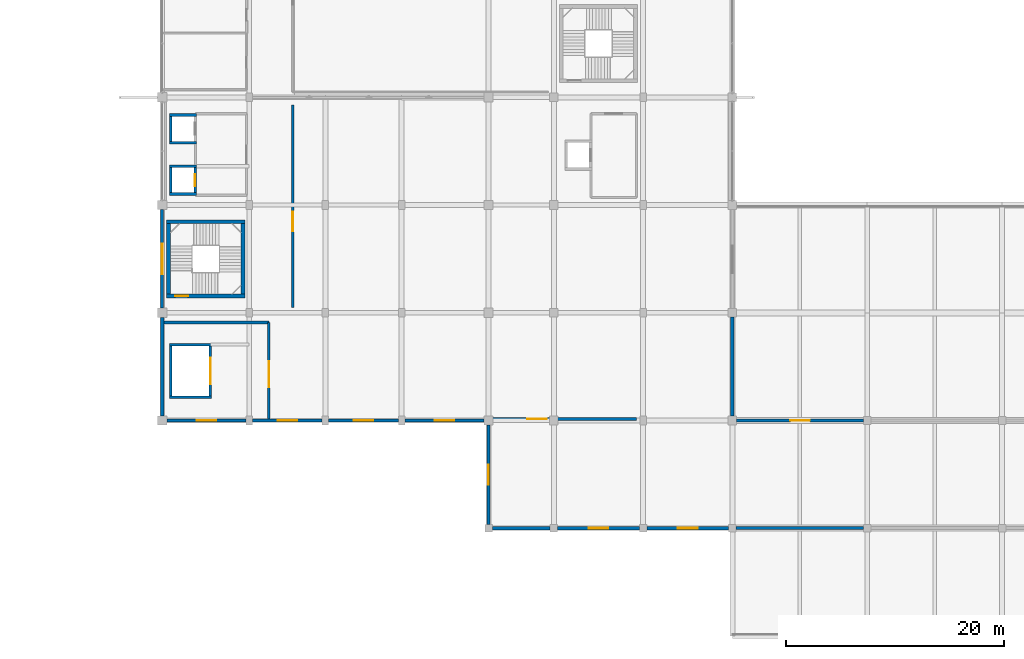
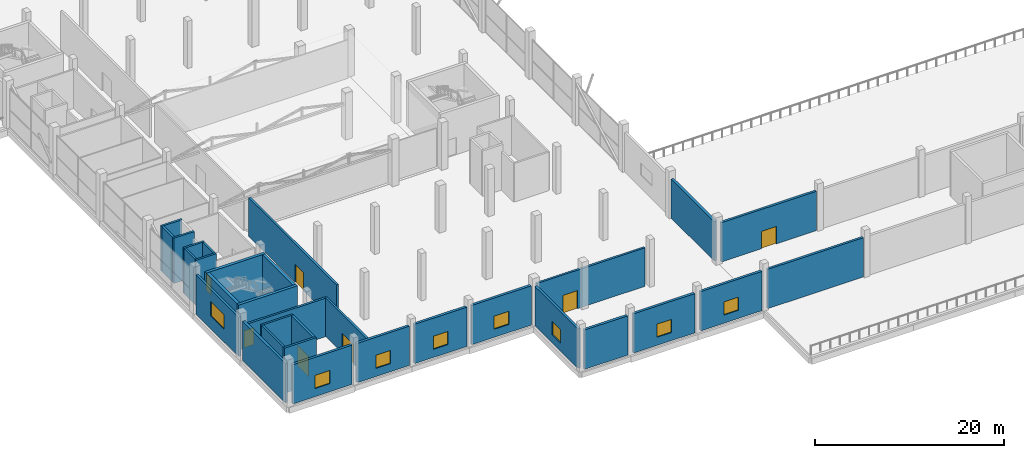
# One storey, part 26 of 46: 32 walls, 8 windows, 7 doors, 15 openings.
"""IFC4 building model written with IfcOpenShell, lengths in metres."""

import ifcopenshell
import ifcopenshell.guid

model = None  # the IFC model being written
_history = None  # IfcOwnerHistory: only IFC2X3 demands one
_inside = {}  # id of a spatial element -> (the spatial element, [elements in it])
_under = {}  # id of a project, library or spatial element -> (it, [spatial elements below it])
_declared = {}  # id of a project -> (the project, [libraries it declares])
_typed = {}  # id of a type object -> (the type object, [elements of that type])
_made_of = {}  # id of a material, layer set ... -> (it, [elements and type objects made of it])


def new_model(schema):
    """Start an empty IFC model of exactly this schema.

    Asked for "IFC4X3", IfcOpenShell would pick the latest addendum, in which some entities
    have other attributes; the version numbers below select the first issue.
    IFC2X3 requires an IfcOwnerHistory on every rooted entity: one is made here for all.
    """
    global model, _history
    if schema == "IFC4X3":
        model = ifcopenshell.file(schema_version=(4, 3, 0, 0))
    else:
        model = ifcopenshell.file(schema=schema)
    _inside.clear()
    _under.clear()
    _declared.clear()
    _typed.clear()
    _made_of.clear()
    _history = None
    if model.schema == "IFC2X3":
        org = make("IfcOrganization", Name="unknown")
        user = make(
            "IfcPersonAndOrganization",
            ThePerson=make("IfcPerson", FamilyName="unknown"),
            TheOrganization=org,
        )
        app = make(
            "IfcApplication",
            ApplicationDeveloper=org,
            Version="unknown",
            ApplicationFullName="unknown",
            ApplicationIdentifier="unknown",
        )
        _history = make(
            "IfcOwnerHistory",
            OwningUser=user,
            OwningApplication=app,
            ChangeAction="ADDED",
            CreationDate=0,
        )
    return model


def make(cls, **values):
    """One entity of the class cls with the attributes given. An attribute that is None is left unset."""
    return model.create_entity(
        cls, **{name: value for name, value in values.items() if value is not None}
    )


def rooted(cls, **values):
    """An entity with a GlobalId (a new one), such as an element, a storey or a relation."""
    return make(cls, GlobalId=ifcopenshell.guid.new(), OwnerHistory=_history, **values)


def si_unit(unit_type, name, prefix=None):
    """IfcSIUnit, for example si_unit("LENGTHUNIT", "METRE", prefix="MILLI")."""
    return make("IfcSIUnit", UnitType=unit_type, Prefix=prefix, Name=name)


def assignment(units):
    """IfcUnitAssignment: the units of a project."""
    return None if units is None else make("IfcUnitAssignment", Units=units)


def point(xyz):
    """IfcCartesianPoint."""
    return None if xyz is None else make("IfcCartesianPoint", Coordinates=xyz)


def direction(xyz):
    """IfcDirection."""
    return None if xyz is None else make("IfcDirection", DirectionRatios=xyz)


def frame(location, z_axis=None, x_axis=None):
    """IfcAxis2Placement3D, a coordinate frame: its origin and axes. An axis left out is left unset."""
    return make(
        "IfcAxis2Placement3D",
        Location=point(location),
        Axis=direction(z_axis),
        RefDirection=direction(x_axis),
    )


def frame_2d(location, x_axis=None):
    """IfcAxis2Placement2D, a coordinate frame in the plane: its origin and x axis."""
    return make(
        "IfcAxis2Placement2D", Location=point(location), RefDirection=direction(x_axis)
    )


def origin():
    """The frame at (0, 0, 0) with its axes left unset."""
    return frame((0.0, 0.0, 0.0))


def place(relative_to, where):
    """IfcLocalPlacement: puts the frame where relative to a parent placement (None: the world)."""
    return make(
        "IfcLocalPlacement", PlacementRelTo=relative_to, RelativePlacement=where
    )


def context(
    kind, dimensions, precision=None, world=None, true_north=None, identifier=None
):
    """IfcGeometricRepresentationContext, for example the 3D "Model" context."""
    return make(
        "IfcGeometricRepresentationContext",
        ContextIdentifier=identifier,
        ContextType=kind,
        CoordinateSpaceDimension=dimensions,
        Precision=precision,
        WorldCoordinateSystem=world,
        TrueNorth=true_north,
    )


def subcontext(parent, identifier, kind, view, scale=None):
    """IfcGeometricRepresentationSubContext, for example "Body" below "Model"."""
    return make(
        "IfcGeometricRepresentationSubContext",
        ContextIdentifier=identifier,
        ContextType=kind,
        ParentContext=parent,
        TargetScale=scale,
        TargetView=view,
    )


def project(units=None, contexts=None):
    """IfcProject with its units and contexts."""
    return rooted(
        "IfcProject",
        Name="project",
        RepresentationContexts=contexts,
        UnitsInContext=assignment(units),
    )


def spatial(cls, under=None, at=None, **own):
    """A site, building, storey or space (cls), placed at a placement, below another one or the project."""
    s = rooted(cls, ObjectPlacement=at, **own)
    if under is not None:
        _under.setdefault(under.id(), (under, []))[1].append(s)
    return s


def profile(cls, at=None, kind="AREA", **sizes):
    """A parametric profile (cls). Its sizes go by their IFC names, for example OverallWidth=200.0."""
    return make(cls, ProfileType=kind, Position=at, **sizes)


def rectangle(**sizes):
    """IfcRectangleProfileDef."""
    return profile("IfcRectangleProfileDef", **sizes)


def extrude(swept, where, along, depth):
    """IfcExtrudedAreaSolid: the profile swept, set in the frame where, extruded along a direction by depth."""
    return make(
        "IfcExtrudedAreaSolid",
        SweptArea=swept,
        Position=where,
        ExtrudedDirection=direction(along),
        Depth=depth,
    )


def shape(context_of_items, identifier, shape_type, items):
    """IfcShapeRepresentation: the items that make up one representation, for example the "Body"."""
    return make(
        "IfcShapeRepresentation",
        ContextOfItems=context_of_items,
        RepresentationIdentifier=identifier,
        RepresentationType=shape_type,
        Items=items,
    )


def material(Name=None, Category=None):
    """IfcMaterial."""
    return make("IfcMaterial", Name=Name, Category=Category)


def layer(
    of_material, thickness, ventilated=None, Name=None, Category=None, Priority=None
):
    """IfcMaterialLayer: one layer of a wall or slab, of a material (None: an air gap)."""
    return make(
        "IfcMaterialLayer",
        Material=of_material,
        LayerThickness=thickness,
        IsVentilated=ventilated,
        Name=Name,
        Category=Category,
        Priority=Priority,
    )


def layer_set(layers, Name=None):
    """IfcMaterialLayerSet."""
    return make("IfcMaterialLayerSet", MaterialLayers=layers, LayerSetName=Name)


def made_of(thing, what):
    """Note that an element or type object is made of a material, layer set ...; save() writes the relation."""
    if what is not None:
        _made_of.setdefault(what.id(), (what, []))[1].append(thing)
    return thing


def type_object(cls, material=None, **own):
    """A type object (cls), such as IfcWallType, which elements share."""
    return made_of(rooted(cls, **own), material)


def element(
    cls,
    number,
    at=None,
    inside=None,
    cuts=None,
    type_object=None,
    material=None,
    context=None,
    identifier="Body",
    shape_type=None,
    held_by="IfcProductDefinitionShape",
    body=None,
    shapes=None,
    **own,
):
    """One element of the class cls, such as IfcWall. Its Tag is "e" and its number.

    at: its placement. inside: the storey or other place that contains it. cuts: it is an
    opening in that element (IfcRelVoidsElement). A single representation is given by context,
    identifier, shape_type and body (its items); several are given by shapes. held_by: the class
    of the entity that holds the representations. save() writes the other relations.
    """
    e = rooted(cls, Tag="e%d" % number, ObjectPlacement=at, **own)
    if body is not None:
        shapes = [shape(context, identifier, shape_type, body)]
    if shapes is not None:
        e.Representation = make(held_by, Representations=shapes)
    if inside is not None:
        _inside.setdefault(inside.id(), (inside, []))[1].append(e)
    if cuts is not None:
        rooted(
            "IfcRelVoidsElement", RelatingBuildingElement=cuts, RelatedOpeningElement=e
        )
    if type_object is not None:
        _typed.setdefault(type_object.id(), (type_object, []))[1].append(e)
    return made_of(e, material)


def fill(opening, filler):
    """IfcRelFillsElement: the door or window that sits in an opening."""
    return rooted(
        "IfcRelFillsElement",
        RelatingOpeningElement=opening,
        RelatedBuildingElement=filler,
    )


def aggregate(whole, parts):
    """IfcRelAggregates: a whole, such as a stair, and the parts it consists of."""
    return rooted("IfcRelAggregates", RelatingObject=whole, RelatedObjects=parts)


def save(model, path):
    """Write the relations noted so far, then the file.

    IfcRelAggregates (storeys below a building ...), IfcRelContainedInSpatialStructure (elements
    in a storey), IfcRelDefinesByType, IfcRelAssociatesMaterial and IfcRelDeclares: one each for
    every whole, place, type object, material and project.
    """
    for whole, parts in _under.values():
        aggregate(whole, parts)
    for where, things in _inside.values():
        rooted(
            "IfcRelContainedInSpatialStructure",
            RelatedElements=things,
            RelatingStructure=where,
        )
    for kind, things in _typed.values():
        rooted("IfcRelDefinesByType", RelatedObjects=things, RelatingType=kind)
    for what, things in _made_of.values():
        rooted("IfcRelAssociatesMaterial", RelatedObjects=things, RelatingMaterial=what)
    for by, libraries in _declared.values():
        rooted("IfcRelDeclares", RelatingContext=by, RelatedDefinitions=libraries)
    model.write(path)


model = new_model("IFC4")

# Units and contexts
model_context = context("Model", 3, precision=1e-05, world=origin(), true_north=direction((0.0, 1.0)))
body_context = subcontext(model_context, "Body", "Model", "MODEL_VIEW")
ifc_project = project(units=[si_unit("LENGTHUNIT", "METRE"), si_unit("AREAUNIT", "SQUARE_METRE"), si_unit("VOLUMEUNIT", "CUBIC_METRE"), si_unit("PLANEANGLEUNIT", "RADIAN"), si_unit("MASSUNIT", "GRAM", prefix="KILO")], contexts=[model_context])

# Site, building, storey
site_placement = place(None, origin())
site = spatial("IfcSite", under=ifc_project, at=site_placement, CompositionType="ELEMENT")
building_placement = place(site_placement, origin())
building = spatial("IfcBuilding", under=site, at=building_placement, Name="Sillaruma Civic Art Gallery", CompositionType="ELEMENT")
storey_placement = place(building_placement, frame((0.0, 0.0, 16.320068359375)))
storey = spatial("IfcBuildingStorey", under=building, at=storey_placement, Name="L03", CompositionType="ELEMENT", Elevation=16.320068359375)

# Wall, opening, door
ifc_material_1 = material(Name="Concrete H40 (40 MPa)", Category="concrete")
ifc_layer_1 = layer(ifc_material_1, 0.35009765625, Name="Concrete H40 (40 MPa)")
ifc_layer_set_1 = layer_set([ifc_layer_1], Name="Concrete H40 (40 MPa)")
wall_type_1 = type_object("IfcWallType", Name="WAL-CORE-350", PredefinedType="SHEAR", material=ifc_layer_set_1)
wall_1_placement = place(storey_placement, frame((62.409912109375, 31.235107421875, 0.0), z_axis=(0.0, 0.0, 1.0), x_axis=(1.0, 0.0, 0.0)))
wall_1 = element("IfcWall", 1, at=wall_1_placement, inside=storey, type_object=wall_type_1, Name="Stair Core Shear Wall W-CORE-350 (ST-03:L03:S)", PredefinedType="SHEAR", context=body_context, shape_type="SweptSolid", body=[
    extrude(rectangle(XDim=7.18017578125, YDim=0.35009765625, at=frame_2d((3.590087890625, 0.0))), origin(), (0.0, 0.0, 1.0), 5.85986328125),
])
opening_1_placement = place(wall_1_placement, frame((0.77001953125, 0.0, 0.0)))
opening_1 = element("IfcOpeningElement", 2, at=opening_1_placement, cuts=wall_1, Name="Opening D-STAIR", PredefinedType="OPENING", context=body_context, shape_type="SweptSolid", body=[
    extrude(rectangle(XDim=1.199951171875, YDim=2.199951171875, at=frame_2d((0.60009765625, 1.10009765625))), frame((0.0, 0.18505859375, 0.0), z_axis=(0.0, -1.0, 0.0), x_axis=(1.0, 0.0, 0.0)), (0.0, 0.0, 1.0), 0.3701171875),
])
ifc_material_2 = material(Name="Galvanised Steel ASTM A653 Gr.50", Category="steel")
door_type_1 = type_object("IfcDoorType", Name="DOR-STAIR-120", OperationType="NOTDEFINED", PredefinedType="DOOR", material=ifc_material_2)
door_1_placement = place(opening_1_placement, origin())
door_1 = element("IfcDoor", 3, at=door_1_placement, inside=storey, type_object=door_type_1, Name="Protected Stair Fire Door (ST-03:L03)", OperationType="SINGLE_SWING_LEFT", OverallHeight=2.199951171875, OverallWidth=1.199951171875, PredefinedType="DOOR", context=body_context, shape_type="SweptSolid", body=[
    extrude(rectangle(XDim=1.199951171875, YDim=2.199951171875, at=frame_2d((0.60009765625, 1.10009765625))), frame((0.0, 0.02490234375, 0.0), z_axis=(0.0, -1.0, 0.0), x_axis=(1.0, 0.0, 0.0)), (0.0, 0.0, 1.0), 0.050048828125),
])
fill(opening_1, door_1)

# Walls
wall_2_placement = place(storey_placement, frame((62.409912109375, 38.06494140625, 0.0), z_axis=(0.0, 0.0, 1.0), x_axis=(1.0, 0.0, 0.0)))
element("IfcWall", 4, at=wall_2_placement, inside=storey, type_object=wall_type_1, Name="Stair Core Shear Wall W-CORE-350 (ST-03:L03:N)", PredefinedType="SHEAR", context=body_context, shape_type="SweptSolid", body=[
    extrude(rectangle(XDim=7.18017578125, YDim=0.35009765625, at=frame_2d((3.590087890625, 0.0))), origin(), (0.0, 0.0, 1.0), 5.85986328125),
])
for number, where, z_axis, x_axis, name in (
    (5, (62.5849609375, 31.409912109375, 0.0), (0.0, 0.0, 1.0), (0.0, 1.0, 0.0), "Stair Core Shear Wall W-CORE-350 (ST-03:L03:W)"),
    (6, (69.4150390625, 31.409912109375, 0.0), (0.0, 0.0, 1.0), (0.0, 1.0, 0.0), "Stair Core Shear Wall W-CORE-350 (ST-03:L03:E)"),
):
    element("IfcWall", number, at=place(storey_placement, frame(where, z_axis=z_axis, x_axis=x_axis)), inside=storey, type_object=wall_type_1, Name=name, PredefinedType="SHEAR", context=body_context, shape_type="SweptSolid", body=[
        extrude(rectangle(XDim=6.47998046875, YDim=0.35009765625, at=frame_2d((3.239990234375, 0.0))), origin(), (0.0, 0.0, 1.0), 5.85986328125),
    ])

# Wall, opening, window
ifc_material_3 = material(Name="Concrete H35 (35 MPa)", Category="concrete")
ifc_layer_2 = layer(ifc_material_3, 0.159912109375, Name="Concrete backup", Category="concrete")
ifc_material_4 = material(Name="Mineral Wool Thermal Insulation", Category="insulation")
ifc_layer_3 = layer(ifc_material_4, 0.090087890625, Name="Thermal insulation", Category="insulation")
ifc_material_5 = material(Name="Anodised Zinc-Aluminium Alloy", Category="aluminium")
ifc_layer_4 = layer(ifc_material_5, 0.030029296875, Name="Rainscreen finish", Category="aluminium")
ifc_layer_set_2 = layer_set([ifc_layer_2, ifc_layer_3, ifc_layer_4], Name="W-EXT-280")
wall_type_2 = type_object("IfcWallType", Name="WAL-EXT-280", PredefinedType="SOLIDWALL", material=ifc_layer_set_2)
wall_3_placement = place(storey_placement, frame((62.0, 30.125, 0.0), z_axis=(0.0, 0.0, 1.0), x_axis=(0.0, 1.0, 0.0)))
wall_3 = element("IfcWall", 7, at=wall_3_placement, inside=storey, type_object=wall_type_2, Name="Exterior Wall W-EXT-280 (EW-L03-W-2)", PredefinedType="SOLIDWALL", context=body_context, shape_type="SweptSolid", body=[
    extrude(rectangle(XDim=9.050048828125, YDim=0.280029296875, at=frame_2d((4.52490234375, 0.0))), origin(), (0.0, 0.0, 1.0), 5.079833984375),
])
opening_2_placement = place(wall_3_placement, frame((3.10009765625, 0.0, 1.64990234375)))
opening_2 = element("IfcOpeningElement", 8, at=opening_2_placement, cuts=wall_3, Name="Opening WN-09", PredefinedType="OPENING", context=body_context, shape_type="SweptSolid", body=[
    extrude(rectangle(XDim=2.800048828125, YDim=1.89990234375, at=frame_2d((1.39990234375, 0.949951171875))), frame((0.0, 0.14990234375, 0.0), z_axis=(0.0, -1.0, 0.0), x_axis=(1.0, 0.0, 0.0)), (0.0, 0.0, 1.0), 0.300048828125),
])
ifc_material_6 = material(Name="Thermally Broken Extruded Aluminium 6063-T6", Category="aluminium")
window_type_1 = type_object("IfcWindowType", Name="WIN-W09", PartitioningType="SINGLE_PANEL", PredefinedType="WINDOW", material=ifc_material_6)
window_1_placement = place(opening_2_placement, origin())
window_1 = element("IfcWindow", 9, at=window_1_placement, inside=storey, type_object=window_type_1, Name="Window WN-09 (EW-L03-W-2-1)", OverallHeight=1.89990234375, OverallWidth=2.800048828125, PartitioningType="SINGLE_PANEL", PredefinedType="WINDOW", context=body_context, shape_type="SweptSolid", body=[
    extrude(rectangle(XDim=2.800048828125, YDim=1.89990234375, at=frame_2d((1.39990234375, 0.949951171875))), frame((0.0, 0.030029296875, 0.0), z_axis=(0.0, -1.0, 0.0), x_axis=(1.0, 0.0, 0.0)), (0.0, 0.0, 1.0), 0.06005859375),
])
fill(opening_2, window_1)

# Wall, opening, door
wall_4_placement = place(storey_placement, frame((114.800048828125, 19.800048828125, 0.0), z_axis=(0.0, 0.0, 1.0), x_axis=(1.0, 0.0, 0.0)))
wall_4 = element("IfcWall", 10, at=wall_4_placement, inside=storey, type_object=wall_type_2, Name="Exterior Wall W-EXT-280 (EW-L03-HH5-N1)", PredefinedType="SOLIDWALL", context=body_context, shape_type="SweptSolid", body=[
    extrude(rectangle(XDim=11.64990234375, YDim=0.280029296875, at=frame_2d((5.824951171875, 0.0))), origin(), (0.0, 0.0, 1.0), 5.079833984375),
])
opening_3_placement = place(wall_4_placement, frame((4.925048828125, 0.0, 0.0)))
opening_3 = element("IfcOpeningElement", 11, at=opening_3_placement, cuts=wall_4, Name="Opening D-TER1", PredefinedType="OPENING", context=body_context, shape_type="SweptSolid", body=[
    extrude(rectangle(XDim=1.800048828125, YDim=2.25, at=frame_2d((0.89990234375, 1.125))), frame((0.0, 0.14990234375, 0.0), z_axis=(0.0, -1.0, 0.0), x_axis=(1.0, 0.0, 0.0)), (0.0, 0.0, 1.0), 0.300048828125),
])
door_type_2 = type_object("IfcDoorType", Name="DOR-TER-180", OperationType="NOTDEFINED", PredefinedType="DOOR", material=ifc_material_6)
door_2_placement = place(opening_3_placement, origin())
door_2 = element("IfcDoor", 12, at=door_2_placement, inside=storey, type_object=door_type_2, Name="East Podium Sculpture Terrace Door", OperationType="DOUBLE_DOOR_SINGLE_SWING", OverallHeight=2.25, OverallWidth=1.800048828125, PredefinedType="DOOR", context=body_context, shape_type="SweptSolid", body=[
    extrude(rectangle(XDim=1.800048828125, YDim=2.25, at=frame_2d((0.89990234375, 1.125))), frame((0.0, 0.02490234375, 0.0), z_axis=(0.0, -1.0, 0.0), x_axis=(1.0, 0.0, 0.0)), (0.0, 0.0, 1.0), 0.050048828125),
])
fill(opening_3, door_2)

# Walls
wall_5_placement = place(storey_placement, frame((114.75, 9.89990234375, 0.0), z_axis=(0.0, 0.0, 1.0), x_axis=(1.0, 0.0, 0.0)))
element("IfcWall", 13, at=wall_5_placement, inside=storey, type_object=wall_type_2, Name="Exterior Wall W-EXT-280 (EW-L03-HH5-S1)", PredefinedType="SOLIDWALL", context=body_context, shape_type="SweptSolid", body=[
    extrude(rectangle(XDim=11.699951171875, YDim=0.280029296875, at=frame_2d((5.85009765625, 0.0))), origin(), (0.0, 0.0, 1.0), 5.079833984375),
])
ifc_material_7 = material(Name="Precast Concrete H35 (35 MPa)", Category="concrete")
ifc_layer_5 = layer(ifc_material_7, 0.179931640625, Name="Precast backup", Category="concrete")
ifc_layer_6 = layer(ifc_material_4, 0.090087890625, Name="Thermal insulation", Category="insulation")
ifc_material_8 = material(Name="Comanche Granitic Ashlar Stone", Category="masonry")
ifc_layer_7 = layer(ifc_material_8, 0.030029296875, Name="Rainscreen cladding", Category="masonry")
ifc_layer_set_3 = layer_set([ifc_layer_5, ifc_layer_6, ifc_layer_7], Name="W-EXT-300")
wall_type_3 = type_object("IfcWallType", Name="WAL-EXT-300", PredefinedType="SOLIDWALL", material=ifc_layer_set_3)
wall_6_placement = place(storey_placement, frame((62.0, 20.22509765625, 0.0), z_axis=(0.0, 0.0, 1.0), x_axis=(0.0, 1.0, 0.0)))
element("IfcWall", 14, at=wall_6_placement, inside=storey, type_object=wall_type_3, Name="Exterior Wall W-EXT-300 (EW-L03-W-1)", PredefinedType="SOLIDWALL", context=body_context, shape_type="SweptSolid", body=[
    extrude(rectangle(XDim=9.0498046875, YDim=0.300048828125, at=frame_2d((4.52490234375, 0.0))), origin(), (0.0, 0.0, 1.0), 5.079833984375),
])
wall_7_placement = place(storey_placement, frame((114.39990234375, 20.199951171875, 0.0), z_axis=(0.0, 0.0, 1.0), x_axis=(0.0, 1.0, 0.0)))
element("IfcWall", 15, at=wall_7_placement, inside=storey, type_object=wall_type_3, Name="Exterior Wall W-EXT-300 (EW-L03-E-1)", PredefinedType="SOLIDWALL", context=body_context, shape_type="SweptSolid", body=[
    extrude(rectangle(XDim=9.10009765625, YDim=0.300048828125, at=frame_2d((4.550048828125, 0.0))), origin(), (0.0, 0.0, 1.0), 5.079833984375),
])

# Wall, opening, window
wall_8_placement = place(storey_placement, frame((62.425048828125, 19.800048828125, 0.0), z_axis=(0.0, 0.0, 1.0), x_axis=(1.0, 0.0, 0.0)))
wall_8 = element("IfcWall", 16, at=wall_8_placement, inside=storey, type_object=wall_type_3, Name="Exterior Wall W-EXT-300 (EW-L03-SFG)", PredefinedType="SOLIDWALL", context=body_context, shape_type="SweptSolid", body=[
    extrude(rectangle(XDim=7.27490234375, YDim=0.300048828125, at=frame_2d((3.637451171875, 0.0))), origin(), (0.0, 0.0, 1.0), 5.079833984375),
])
opening_4_placement = place(wall_8_placement, frame((2.738037109375, 0.0, 1.050048828125)))
opening_4 = element("IfcOpeningElement", 17, at=opening_4_placement, cuts=wall_8, Name="Opening WN-04", PredefinedType="OPENING", context=body_context, shape_type="SweptSolid", body=[
    extrude(rectangle(XDim=1.800048828125, YDim=1.699951171875, at=frame_2d((0.89990234375, 0.85009765625))), frame((0.0, 0.159912109375, 0.0), z_axis=(0.0, -1.0, 0.0), x_axis=(1.0, 0.0, 0.0)), (0.0, 0.0, 1.0), 0.320068359375),
])
window_type_2 = type_object("IfcWindowType", Name="WIN-W04", PartitioningType="SINGLE_PANEL", PredefinedType="WINDOW", material=ifc_material_6)
window_2_placement = place(opening_4_placement, origin())
window_2 = element("IfcWindow", 18, at=window_2_placement, inside=storey, type_object=window_type_2, Name="Window WN-04 (EW-L03-SFG-1)", OverallHeight=1.699951171875, OverallWidth=1.800048828125, PartitioningType="SINGLE_PANEL", PredefinedType="WINDOW", context=body_context, shape_type="SweptSolid", body=[
    extrude(rectangle(XDim=1.800048828125, YDim=1.699951171875, at=frame_2d((0.89990234375, 0.85009765625))), frame((0.0, 0.030029296875, 0.0), z_axis=(0.0, -1.0, 0.0), x_axis=(1.0, 0.0, 0.0)), (0.0, 0.0, 1.0), 0.06005859375),
])
fill(opening_4, window_2)

wall_9_placement = place(storey_placement, frame((70.300048828125, 19.800048828125, 0.0), z_axis=(0.0, 0.0, 1.0), x_axis=(1.0, 0.0, 0.0)))
wall_9 = element("IfcWall", 19, at=wall_9_placement, inside=storey, type_object=wall_type_3, Name="Exterior Wall W-EXT-300 (EW-L03-SGH)", PredefinedType="SOLIDWALL", context=body_context, shape_type="SweptSolid", body=[
    extrude(rectangle(XDim=6.39990234375, YDim=0.300048828125, at=frame_2d((3.199951171875, 0.0))), origin(), (0.0, 0.0, 1.0), 5.079833984375),
])
opening_5_placement = place(wall_9_placement, frame((2.300048828125, 0.0, 1.050048828125)))
opening_5 = element("IfcOpeningElement", 20, at=opening_5_placement, cuts=wall_9, Name="Opening WN-04", PredefinedType="OPENING", context=body_context, shape_type="SweptSolid", body=[
    extrude(rectangle(XDim=1.800048828125, YDim=1.699951171875, at=frame_2d((0.89990234375, 0.85009765625))), frame((0.0, 0.159912109375, 0.0), z_axis=(0.0, -1.0, 0.0), x_axis=(1.0, 0.0, 0.0)), (0.0, 0.0, 1.0), 0.320068359375),
])
window_3_placement = place(opening_5_placement, origin())
window_3 = element("IfcWindow", 21, at=window_3_placement, inside=storey, type_object=window_type_2, Name="Window WN-04 (EW-L03-SGH-1)", OverallHeight=1.699951171875, OverallWidth=1.800048828125, PartitioningType="SINGLE_PANEL", PredefinedType="WINDOW", context=body_context, shape_type="SweptSolid", body=[
    extrude(rectangle(XDim=1.800048828125, YDim=1.699951171875, at=frame_2d((0.89990234375, 0.85009765625))), frame((0.0, 0.030029296875, 0.0), z_axis=(0.0, -1.0, 0.0), x_axis=(1.0, 0.0, 0.0)), (0.0, 0.0, 1.0), 0.06005859375),
])
fill(opening_5, window_3)

wall_10_placement = place(storey_placement, frame((77.300048828125, 19.800048828125, 0.0), z_axis=(0.0, 0.0, 1.0), x_axis=(1.0, 0.0, 0.0)))
wall_10 = element("IfcWall", 22, at=wall_10_placement, inside=storey, type_object=wall_type_3, Name="Exterior Wall W-EXT-300 (EW-L03-SHJ)", PredefinedType="SOLIDWALL", context=body_context, shape_type="SweptSolid", body=[
    extrude(rectangle(XDim=6.39990234375, YDim=0.300048828125, at=frame_2d((3.199951171875, 0.0))), origin(), (0.0, 0.0, 1.0), 5.079833984375),
])
opening_6_placement = place(wall_10_placement, frame((2.300048828125, 0.0, 1.050048828125)))
opening_6 = element("IfcOpeningElement", 23, at=opening_6_placement, cuts=wall_10, Name="Opening WN-04", PredefinedType="OPENING", context=body_context, shape_type="SweptSolid", body=[
    extrude(rectangle(XDim=1.800048828125, YDim=1.699951171875, at=frame_2d((0.89990234375, 0.85009765625))), frame((0.0, 0.159912109375, 0.0), z_axis=(0.0, -1.0, 0.0), x_axis=(1.0, 0.0, 0.0)), (0.0, 0.0, 1.0), 0.320068359375),
])
window_4_placement = place(opening_6_placement, origin())
window_4 = element("IfcWindow", 24, at=window_4_placement, inside=storey, type_object=window_type_2, Name="Window WN-04 (EW-L03-SHJ-1)", OverallHeight=1.699951171875, OverallWidth=1.800048828125, PartitioningType="SINGLE_PANEL", PredefinedType="WINDOW", context=body_context, shape_type="SweptSolid", body=[
    extrude(rectangle(XDim=1.800048828125, YDim=1.699951171875, at=frame_2d((0.89990234375, 0.85009765625))), frame((0.0, 0.030029296875, 0.0), z_axis=(0.0, -1.0, 0.0), x_axis=(1.0, 0.0, 0.0)), (0.0, 0.0, 1.0), 0.06005859375),
])
fill(opening_6, window_4)

wall_11_placement = place(storey_placement, frame((84.300048828125, 19.800048828125, 0.0), z_axis=(0.0, 0.0, 1.0), x_axis=(1.0, 0.0, 0.0)))
wall_11 = element("IfcWall", 25, at=wall_11_placement, inside=storey, type_object=wall_type_3, Name="Exterior Wall W-EXT-300 (EW-L03-SJK)", PredefinedType="SOLIDWALL", context=body_context, shape_type="SweptSolid", body=[
    extrude(rectangle(XDim=7.27490234375, YDim=0.300048828125, at=frame_2d((3.637451171875, 0.0))), origin(), (0.0, 0.0, 1.0), 5.079833984375),
])
opening_7_placement = place(wall_11_placement, frame((2.738037109375, 0.0, 1.050048828125)))
opening_7 = element("IfcOpeningElement", 26, at=opening_7_placement, cuts=wall_11, Name="Opening WN-04", PredefinedType="OPENING", context=body_context, shape_type="SweptSolid", body=[
    extrude(rectangle(XDim=1.800048828125, YDim=1.699951171875, at=frame_2d((0.89990234375, 0.85009765625))), frame((0.0, 0.159912109375, 0.0), z_axis=(0.0, -1.0, 0.0), x_axis=(1.0, 0.0, 0.0)), (0.0, 0.0, 1.0), 0.320068359375),
])
window_5_placement = place(opening_7_placement, origin())
window_5 = element("IfcWindow", 27, at=window_5_placement, inside=storey, type_object=window_type_2, Name="Window WN-04 (EW-L03-SJK-1)", OverallHeight=1.699951171875, OverallWidth=1.800048828125, PartitioningType="SINGLE_PANEL", PredefinedType="WINDOW", context=body_context, shape_type="SweptSolid", body=[
    extrude(rectangle(XDim=1.800048828125, YDim=1.699951171875, at=frame_2d((0.89990234375, 0.85009765625))), frame((0.0, 0.030029296875, 0.0), z_axis=(0.0, -1.0, 0.0), x_axis=(1.0, 0.0, 0.0)), (0.0, 0.0, 1.0), 0.06005859375),
])
fill(opening_7, window_5)

wall_12_placement = place(storey_placement, frame((92.0, 10.25, 0.0), z_axis=(0.0, 0.0, 1.0), x_axis=(0.0, 1.0, 0.0)))
wall_12 = element("IfcWall", 28, at=wall_12_placement, inside=storey, type_object=wall_type_3, Name="Exterior Wall W-EXT-300 (EW-L03-SE)", PredefinedType="SOLIDWALL", context=body_context, shape_type="SweptSolid", body=[
    extrude(rectangle(XDim=9.125, YDim=0.300048828125, at=frame_2d((4.5625, 0.0))), origin(), (0.0, 0.0, 1.0), 5.079833984375),
])
opening_8_placement = place(wall_12_placement, frame((3.6630859375, 0.0, 1.050048828125)))
opening_8 = element("IfcOpeningElement", 29, at=opening_8_placement, cuts=wall_12, Name="Opening WN-04", PredefinedType="OPENING", context=body_context, shape_type="SweptSolid", body=[
    extrude(rectangle(XDim=1.800048828125, YDim=1.699951171875, at=frame_2d((0.89990234375, 0.85009765625))), frame((0.0, 0.159912109375, 0.0), z_axis=(0.0, -1.0, 0.0), x_axis=(1.0, 0.0, 0.0)), (0.0, 0.0, 1.0), 0.320068359375),
])
window_6_placement = place(opening_8_placement, origin())
window_6 = element("IfcWindow", 30, at=window_6_placement, inside=storey, type_object=window_type_2, Name="Window WN-04 (EW-L03-SE-1)", OverallHeight=1.699951171875, OverallWidth=1.800048828125, PartitioningType="SINGLE_PANEL", PredefinedType="WINDOW", context=body_context, shape_type="SweptSolid", body=[
    extrude(rectangle(XDim=1.800048828125, YDim=1.699951171875, at=frame_2d((0.89990234375, 0.85009765625))), frame((0.0, 0.030029296875, 0.0), z_axis=(0.0, -1.0, 0.0), x_axis=(1.0, 0.0, 0.0)), (0.0, 0.0, 1.0), 0.06005859375),
])
fill(opening_8, window_6)

# Wall
wall_13_placement = place(storey_placement, frame((92.35009765625, 9.89990234375, 0.0), z_axis=(0.0, 0.0, 1.0), x_axis=(1.0, 0.0, 0.0)))
element("IfcWall", 31, at=wall_13_placement, inside=storey, type_object=wall_type_3, Name="Exterior Wall W-EXT-300 (EW-L03-SKL)", PredefinedType="SOLIDWALL", context=body_context, shape_type="SweptSolid", body=[
    extrude(rectangle(XDim=5.2998046875, YDim=0.300048828125, at=frame_2d((2.64990234375, 0.0))), origin(), (0.0, 0.0, 1.0), 5.079833984375),
])

# Wall, opening, window
wall_14_placement = place(storey_placement, frame((98.35009765625, 9.89990234375, 0.0), z_axis=(0.0, 0.0, 1.0), x_axis=(1.0, 0.0, 0.0)))
wall_14 = element("IfcWall", 32, at=wall_14_placement, inside=storey, type_object=wall_type_3, Name="Exterior Wall W-EXT-300 (EW-L03-SLM)", PredefinedType="SOLIDWALL", context=body_context, shape_type="SweptSolid", body=[
    extrude(rectangle(XDim=7.5, YDim=0.300048828125, at=frame_2d((3.75, 0.0))), origin(), (0.0, 0.0, 1.0), 5.079833984375),
])
opening_9_placement = place(wall_14_placement, frame((2.85009765625, 0.0, 1.050048828125)))
opening_9 = element("IfcOpeningElement", 33, at=opening_9_placement, cuts=wall_14, Name="Opening WN-04", PredefinedType="OPENING", context=body_context, shape_type="SweptSolid", body=[
    extrude(rectangle(XDim=1.800048828125, YDim=1.699951171875, at=frame_2d((0.89990234375, 0.85009765625))), frame((0.0, 0.159912109375, 0.0), z_axis=(0.0, -1.0, 0.0), x_axis=(1.0, 0.0, 0.0)), (0.0, 0.0, 1.0), 0.320068359375),
])
window_7_placement = place(opening_9_placement, origin())
window_7 = element("IfcWindow", 34, at=window_7_placement, inside=storey, type_object=window_type_2, Name="Window WN-04 (EW-L03-SLM-1)", OverallHeight=1.699951171875, OverallWidth=1.800048828125, PartitioningType="SINGLE_PANEL", PredefinedType="WINDOW", context=body_context, shape_type="SweptSolid", body=[
    extrude(rectangle(XDim=1.800048828125, YDim=1.699951171875, at=frame_2d((0.89990234375, 0.85009765625))), frame((0.0, 0.030029296875, 0.0), z_axis=(0.0, -1.0, 0.0), x_axis=(1.0, 0.0, 0.0)), (0.0, 0.0, 1.0), 0.06005859375),
])
fill(opening_9, window_7)

wall_15_placement = place(storey_placement, frame((106.550048828125, 9.89990234375, 0.0), z_axis=(0.0, 0.0, 1.0), x_axis=(1.0, 0.0, 0.0)))
wall_15 = element("IfcWall", 35, at=wall_15_placement, inside=storey, type_object=wall_type_3, Name="Exterior Wall W-EXT-300 (EW-L03-SMN)", PredefinedType="SOLIDWALL", context=body_context, shape_type="SweptSolid", body=[
    extrude(rectangle(XDim=7.5, YDim=0.300048828125, at=frame_2d((3.75, 0.0))), origin(), (0.0, 0.0, 1.0), 5.079833984375),
])
opening_10_placement = place(wall_15_placement, frame((2.85009765625, 0.0, 1.050048828125)))
opening_10 = element("IfcOpeningElement", 36, at=opening_10_placement, cuts=wall_15, Name="Opening WN-04", PredefinedType="OPENING", context=body_context, shape_type="SweptSolid", body=[
    extrude(rectangle(XDim=1.800048828125, YDim=1.699951171875, at=frame_2d((0.89990234375, 0.85009765625))), frame((0.0, 0.159912109375, 0.0), z_axis=(0.0, -1.0, 0.0), x_axis=(1.0, 0.0, 0.0)), (0.0, 0.0, 1.0), 0.320068359375),
])
window_8_placement = place(opening_10_placement, origin())
window_8 = element("IfcWindow", 37, at=window_8_placement, inside=storey, type_object=window_type_2, Name="Window WN-04 (EW-L03-SMN-1)", OverallHeight=1.699951171875, OverallWidth=1.800048828125, PartitioningType="SINGLE_PANEL", PredefinedType="WINDOW", context=body_context, shape_type="SweptSolid", body=[
    extrude(rectangle(XDim=1.800048828125, YDim=1.699951171875, at=frame_2d((0.89990234375, 0.85009765625))), frame((0.0, 0.030029296875, 0.0), z_axis=(0.0, -1.0, 0.0), x_axis=(1.0, 0.0, 0.0)), (0.0, 0.0, 1.0), 0.06005859375),
])
fill(opening_10, window_8)

# Walls
ifc_layer_8 = layer(ifc_material_1, 0.25, Name="Concrete H40 (40 MPa)")
ifc_layer_set_4 = layer_set([ifc_layer_8], Name="Concrete H40 (40 MPa)")
wall_type_4 = type_object("IfcWallType", Name="WAL-SHAFT-250", PredefinedType="SOLIDWALL", material=ifc_layer_set_4)
for number, where, z_axis, x_axis, name in (
    (38, (62.64990234375, 40.625, 0.0), (0.0, 0.0, 1.0), (1.0, 0.0, 0.0), "Lift Shaft Wall W-SHAFT-250 (PL-01:L03:S)"),
    (39, (62.64990234375, 43.175048828125, 0.0), (0.0, 0.0, 1.0), (1.0, 0.0, 0.0), "Lift Shaft Wall W-SHAFT-250 (PL-01:L03:N)"),
):
    element("IfcWall", number, at=place(storey_placement, frame(where, z_axis=z_axis, x_axis=x_axis)), inside=storey, type_object=wall_type_4, Name=name, PredefinedType="SOLIDWALL", context=body_context, shape_type="SweptSolid", body=[
        extrude(rectangle(XDim=2.5, YDim=0.25, at=frame_2d((1.25, 0.0))), origin(), (0.0, 0.0, 1.0), 5.83984375),
    ])
wall_16_placement = place(storey_placement, frame((62.77490234375, 40.75, 0.0), z_axis=(0.0, 0.0, 1.0), x_axis=(0.0, 1.0, 0.0)))
element("IfcWall", 40, at=wall_16_placement, inside=storey, type_object=wall_type_4, Name="Lift Shaft Wall W-SHAFT-250 (PL-01:L03:W)", PredefinedType="SOLIDWALL", context=body_context, shape_type="SweptSolid", body=[
    extrude(rectangle(XDim=2.300048828125, YDim=0.25, at=frame_2d((1.14990234375, 0.0))), origin(), (0.0, 0.0, 1.0), 5.83984375),
])

# Wall, opening, door
wall_17_placement = place(storey_placement, frame((65.02490234375, 40.75, 0.0), z_axis=(0.0, 0.0, 1.0), x_axis=(0.0, 1.0, 0.0)))
wall_17 = element("IfcWall", 41, at=wall_17_placement, inside=storey, type_object=wall_type_4, Name="Lift Shaft Wall W-SHAFT-250 (PL-01:L03:E)", PredefinedType="SOLIDWALL", context=body_context, shape_type="SweptSolid", body=[
    extrude(rectangle(XDim=2.300048828125, YDim=0.25, at=frame_2d((1.14990234375, 0.0))), origin(), (0.0, 0.0, 1.0), 5.83984375),
])
opening_11_placement = place(wall_17_placement, frame((0.60009765625, 0.0, 0.0)))
opening_11 = element("IfcOpeningElement", 42, at=opening_11_placement, cuts=wall_17, Name="Opening LD-01", PredefinedType="OPENING", context=body_context, shape_type="SweptSolid", body=[
    extrude(rectangle(XDim=1.10009765625, YDim=2.199951171875, at=frame_2d((0.550048828125, 1.10009765625))), frame((0.0, 0.135009765625, 0.0), z_axis=(0.0, -1.0, 0.0), x_axis=(1.0, 0.0, 0.0)), (0.0, 0.0, 1.0), 0.27001953125),
])
door_type_3 = type_object("IfcDoorType", Name="DOR-LD-01", OperationType="NOTDEFINED", PredefinedType="DOOR", material=ifc_material_2)
door_3_placement = place(opening_11_placement, origin())
door_3 = element("IfcDoor", 43, at=door_3_placement, inside=storey, type_object=door_type_3, Name="Lift Sliding Landing Door LD-01 (PL-01:L03)", OperationType="DOUBLE_DOOR_SLIDING", OverallHeight=2.199951171875, OverallWidth=1.10009765625, PredefinedType="DOOR", context=body_context, shape_type="SweptSolid", body=[
    extrude(rectangle(XDim=1.10009765625, YDim=2.199951171875, at=frame_2d((0.550048828125, 1.10009765625))), frame((0.0, 0.02490234375, 0.0), z_axis=(0.0, -1.0, 0.0), x_axis=(1.0, 0.0, 0.0)), (0.0, 0.0, 1.0), 0.050048828125),
])
fill(opening_11, door_3)

# Walls
for number, where, z_axis, x_axis, name in (
    (44, (62.64990234375, 45.324951171875, 0.0), (0.0, 0.0, 1.0), (1.0, 0.0, 0.0), "Lift Shaft Wall W-SHAFT-250 (PL-02:L03:S)"),
    (45, (62.64990234375, 47.875, 0.0), (0.0, 0.0, 1.0), (1.0, 0.0, 0.0), "Lift Shaft Wall W-SHAFT-250 (PL-02:L03:N)"),
):
    element("IfcWall", number, at=place(storey_placement, frame(where, z_axis=z_axis, x_axis=x_axis)), inside=storey, type_object=wall_type_4, Name=name, PredefinedType="SOLIDWALL", context=body_context, shape_type="SweptSolid", body=[
        extrude(rectangle(XDim=2.5, YDim=0.25, at=frame_2d((1.25, 0.0))), origin(), (0.0, 0.0, 1.0), 5.83984375),
    ])
wall_18_placement = place(storey_placement, frame((62.77490234375, 45.449951171875, 0.0), z_axis=(0.0, 0.0, 1.0), x_axis=(0.0, 1.0, 0.0)))
element("IfcWall", 46, at=wall_18_placement, inside=storey, type_object=wall_type_4, Name="Lift Shaft Wall W-SHAFT-250 (PL-02:L03:W)", PredefinedType="SOLIDWALL", context=body_context, shape_type="SweptSolid", body=[
    extrude(rectangle(XDim=2.300048828125, YDim=0.25, at=frame_2d((1.14990234375, 0.0))), origin(), (0.0, 0.0, 1.0), 5.83984375),
])
for number, where, z_axis, x_axis, name in (
    (47, (62.64990234375, 21.925048828125, 0.0), (0.0, 0.0, 1.0), (1.0, 0.0, 0.0), "Lift Shaft Wall W-SHAFT-250 (GL-01:L03:S)"),
    (48, (62.64990234375, 26.77490234375, 0.0), (0.0, 0.0, 1.0), (1.0, 0.0, 0.0), "Lift Shaft Wall W-SHAFT-250 (GL-01:L03:N)"),
):
    element("IfcWall", number, at=place(storey_placement, frame(where, z_axis=z_axis, x_axis=x_axis)), inside=storey, type_object=wall_type_4, Name=name, PredefinedType="SOLIDWALL", context=body_context, shape_type="SweptSolid", body=[
        extrude(rectangle(XDim=3.900146484375, YDim=0.25, at=frame_2d((1.9501953125, 0.0))), origin(), (0.0, 0.0, 1.0), 5.83984375),
    ])
wall_19_placement = place(storey_placement, frame((62.77490234375, 22.050048828125, 0.0), z_axis=(0.0, 0.0, 1.0), x_axis=(0.0, 1.0, 0.0)))
element("IfcWall", 49, at=wall_19_placement, inside=storey, type_object=wall_type_4, Name="Lift Shaft Wall W-SHAFT-250 (GL-01:L03:W)", PredefinedType="SOLIDWALL", context=body_context, shape_type="SweptSolid", body=[
    extrude(rectangle(XDim=4.599853515625, YDim=0.25, at=frame_2d((2.2998046875, 0.0))), origin(), (0.0, 0.0, 1.0), 5.83984375),
])

# Wall, opening, door
wall_20_placement = place(storey_placement, frame((66.425048828125, 22.050048828125, 0.0), z_axis=(0.0, 0.0, 1.0), x_axis=(0.0, 1.0, 0.0)))
wall_20 = element("IfcWall", 50, at=wall_20_placement, inside=storey, type_object=wall_type_4, Name="Lift Shaft Wall W-SHAFT-250 (GL-01:L03:E)", PredefinedType="SOLIDWALL", context=body_context, shape_type="SweptSolid", body=[
    extrude(rectangle(XDim=4.599853515625, YDim=0.25, at=frame_2d((2.2998046875, 0.0))), origin(), (0.0, 0.0, 1.0), 5.83984375),
])
opening_12_placement = place(wall_20_placement, frame((1.10009765625, 0.0, 0.0)))
opening_12 = element("IfcOpeningElement", 51, at=opening_12_placement, cuts=wall_20, Name="Opening LD-03", PredefinedType="OPENING", context=body_context, shape_type="SweptSolid", body=[
    extrude(rectangle(XDim=2.39990234375, YDim=2.64990234375, at=frame_2d((1.199951171875, 1.324951171875))), frame((0.0, 0.135009765625, 0.0), z_axis=(0.0, -1.0, 0.0), x_axis=(1.0, 0.0, 0.0)), (0.0, 0.0, 1.0), 0.27001953125),
])
door_type_4 = type_object("IfcDoorType", Name="DOR-LD-03", OperationType="NOTDEFINED", PredefinedType="DOOR", material=ifc_material_2)
door_4_placement = place(opening_12_placement, origin())
door_4 = element("IfcDoor", 52, at=door_4_placement, inside=storey, type_object=door_type_4, Name="Lift Sliding Landing Door LD-03 (GL-01:L03)", OperationType="DOUBLE_DOOR_SLIDING", OverallHeight=2.64990234375, OverallWidth=2.39990234375, PredefinedType="DOOR", context=body_context, shape_type="SweptSolid", body=[
    extrude(rectangle(XDim=2.39990234375, YDim=2.64990234375, at=frame_2d((1.199951171875, 1.324951171875))), frame((0.0, 0.02490234375, 0.0), z_axis=(0.0, -1.0, 0.0), x_axis=(1.0, 0.0, 0.0)), (0.0, 0.0, 1.0), 0.050048828125),
])
fill(opening_12, door_4)

# Wall
ifc_material_9 = material(Name="Concrete Masonry Unit Grade M15", Category="masonry")
ifc_layer_9 = layer(ifc_material_9, 0.2548828125, Name="Concrete Masonry Unit Grade M15")
ifc_layer_set_5 = layer_set([ifc_layer_9], Name="Concrete Masonry Unit Grade M15")
wall_type_5 = type_object("IfcWallType", Name="WAL-STORE-250", PredefinedType="SOLIDWALL", material=ifc_layer_set_5)
wall_21_placement = place(storey_placement, frame((62.14990234375, 28.800048828125, 0.0), z_axis=(0.0, 0.0, 1.0), x_axis=(1.0, 0.0, 0.0)))
element("IfcWall", 53, at=wall_21_placement, inside=storey, type_object=wall_type_5, Name="Interior Wall W-STORE-250 (L03-AIR)", PredefinedType="SOLIDWALL", context=body_context, shape_type="SweptSolid", body=[
    extrude(rectangle(XDim=9.650146484375, YDim=0.2548828125, at=frame_2d((4.8251953125, 0.0))), origin(), (0.0, 0.0, 1.0), 4.97998046875),
])

# Wall, opening, door
wall_22_placement = place(storey_placement, frame((71.800048828125, 19.949951171875, 0.0), z_axis=(0.0, 0.0, 1.0), x_axis=(0.0, 1.0, 0.0)))
wall_22 = element("IfcWall", 54, at=wall_22_placement, inside=storey, type_object=wall_type_5, Name="Interior Wall W-STORE-250 (L03-AIR)", PredefinedType="SOLIDWALL", context=body_context, shape_type="SweptSolid", body=[
    extrude(rectangle(XDim=8.85009765625, YDim=0.2548828125, at=frame_2d((4.425048828125, 0.0))), origin(), (0.0, 0.0, 1.0), 4.97998046875),
])
opening_13_placement = place(wall_22_placement, frame((2.89990234375, 0.0, 0.0)))
opening_13 = element("IfcOpeningElement", 55, at=opening_13_placement, cuts=wall_22, Name="Opening D-STR24", PredefinedType="OPENING", context=body_context, shape_type="SweptSolid", body=[
    extrude(rectangle(XDim=2.39990234375, YDim=2.5, at=frame_2d((1.199951171875, 1.25))), frame((0.0, 0.137451171875, 0.0), z_axis=(0.0, -1.0, 0.0), x_axis=(1.0, 0.0, 0.0)), (0.0, 0.0, 1.0), 0.27490234375),
])
door_type_5 = type_object("IfcDoorType", Name="DOR-STORE-240", OperationType="NOTDEFINED", PredefinedType="DOOR", material=ifc_material_2)
door_5_placement = place(opening_13_placement, origin())
door_5 = element("IfcDoor", 56, at=door_5_placement, inside=storey, type_object=door_type_5, Name="Crate Airlock Door (D-STR24)", OperationType="DOUBLE_DOOR_SINGLE_SWING", OverallHeight=2.5, OverallWidth=2.39990234375, PredefinedType="DOOR", context=body_context, shape_type="SweptSolid", body=[
    extrude(rectangle(XDim=2.39990234375, YDim=2.5, at=frame_2d((1.199951171875, 1.25))), frame((0.0, 0.02490234375, 0.0), z_axis=(0.0, -1.0, 0.0), x_axis=(1.0, 0.0, 0.0)), (0.0, 0.0, 1.0), 0.050048828125),
])
fill(opening_13, door_5)

wall_23_placement = place(storey_placement, frame((92.35009765625, 19.949951171875, 0.0), z_axis=(0.0, 0.0, 1.0), x_axis=(1.0, 0.0, 0.0)))
wall_23 = element("IfcWall", 57, at=wall_23_placement, inside=storey, type_object=wall_type_5, Name="Interior Wall W-STORE-250 (L03-STR34)", PredefinedType="SOLIDWALL", context=body_context, shape_type="SweptSolid", body=[
    extrude(rectangle(XDim=13.25, YDim=0.2548828125, at=frame_2d((6.625, 0.0))), origin(), (0.0, 0.0, 1.0), 4.97998046875),
])
opening_14_placement = place(wall_23_placement, frame((3.179931640625, 0.0, 0.0)))
opening_14 = element("IfcOpeningElement", 58, at=opening_14_placement, cuts=wall_23, Name="Opening D-STR18", PredefinedType="OPENING", context=body_context, shape_type="SweptSolid", body=[
    extrude(rectangle(XDim=1.800048828125, YDim=2.35009765625, at=frame_2d((0.89990234375, 1.175048828125))), frame((0.0, 0.137451171875, 0.0), z_axis=(0.0, -1.0, 0.0), x_axis=(1.0, 0.0, 0.0)), (0.0, 0.0, 1.0), 0.27490234375),
])
door_type_6 = type_object("IfcDoorType", Name="DOR-STORE-180", OperationType="NOTDEFINED", PredefinedType="DOOR", material=ifc_material_2)
door_6_placement = place(opening_14_placement, origin())
door_6 = element("IfcDoor", 59, at=door_6_placement, inside=storey, type_object=door_type_6, Name="East Terrace Sculpture Crate Art Store Door (D-STR18)", OperationType="DOUBLE_DOOR_SINGLE_SWING", OverallHeight=2.35009765625, OverallWidth=1.800048828125, PredefinedType="DOOR", context=body_context, shape_type="SweptSolid", body=[
    extrude(rectangle(XDim=1.800048828125, YDim=2.35009765625, at=frame_2d((0.89990234375, 1.175048828125))), frame((0.0, 0.02490234375, 0.0), z_axis=(0.0, -1.0, 0.0), x_axis=(1.0, 0.0, 0.0)), (0.0, 0.0, 1.0), 0.050048828125),
])
fill(opening_14, door_6)

wall_24_placement = place(storey_placement, frame((74.0, 30.199951171875, 0.0), z_axis=(0.0, 0.0, 1.0), x_axis=(0.0, 1.0, 0.0)))
wall_24 = element("IfcWall", 60, at=wall_24_placement, inside=storey, type_object=wall_type_5, Name="Interior Wall W-STORE-250 (L03-STR32)", PredefinedType="SOLIDWALL", context=body_context, shape_type="SweptSolid", body=[
    extrude(rectangle(XDim=18.60009765625, YDim=0.2548828125, at=frame_2d((9.300048828125, 0.0))), origin(), (0.0, 0.0, 1.0), 4.97998046875),
])
opening_15_placement = place(wall_24_placement, frame((7.0, 0.0, 0.0)))
opening_15 = element("IfcOpeningElement", 61, at=opening_15_placement, cuts=wall_24, Name="Opening D-STR18", PredefinedType="OPENING", context=body_context, shape_type="SweptSolid", body=[
    extrude(rectangle(XDim=1.800048828125, YDim=2.35009765625, at=frame_2d((0.89990234375, 1.175048828125))), frame((0.0, 0.137451171875, 0.0), z_axis=(0.0, -1.0, 0.0), x_axis=(1.0, 0.0, 0.0)), (0.0, 0.0, 1.0), 0.27490234375),
])
door_7_placement = place(opening_15_placement, origin())
door_7 = element("IfcDoor", 62, at=door_7_placement, inside=storey, type_object=door_type_6, Name="Central Spine Crate Art Store Door (D-STR18)", OperationType="DOUBLE_DOOR_SINGLE_SWING", OverallHeight=2.35009765625, OverallWidth=1.800048828125, PredefinedType="DOOR", context=body_context, shape_type="SweptSolid", body=[
    extrude(rectangle(XDim=1.800048828125, YDim=2.35009765625, at=frame_2d((0.89990234375, 1.175048828125))), frame((0.0, 0.02490234375, 0.0), z_axis=(0.0, -1.0, 0.0), x_axis=(1.0, 0.0, 0.0)), (0.0, 0.0, 1.0), 0.050048828125),
])
fill(opening_15, door_7)

save(model, "model.ifc")
